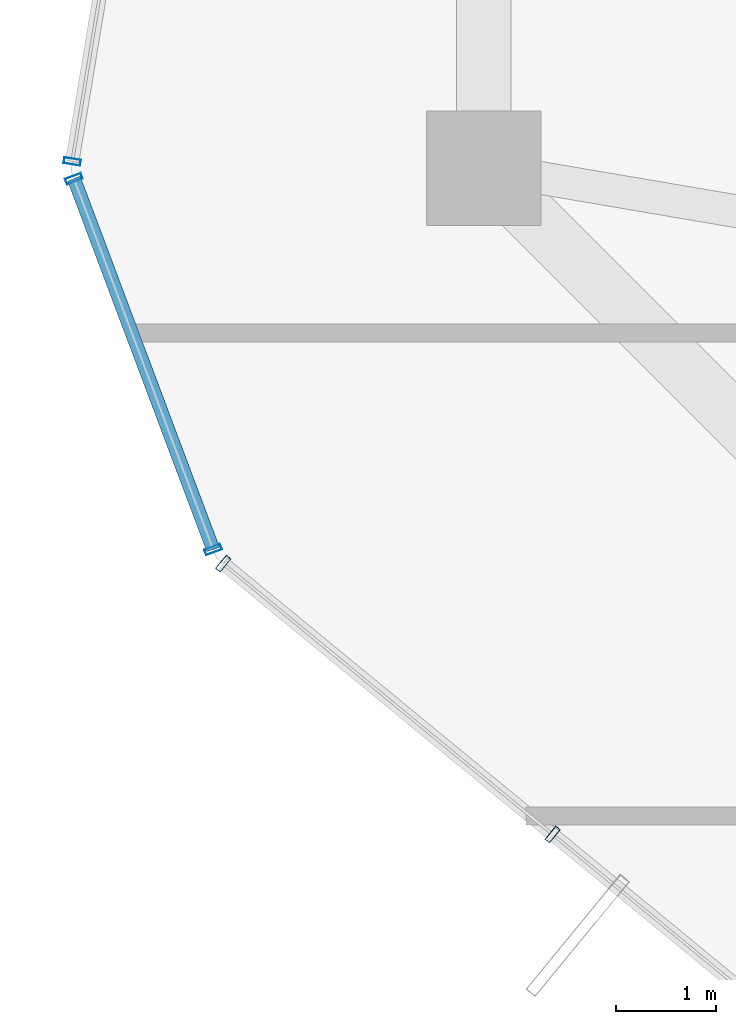
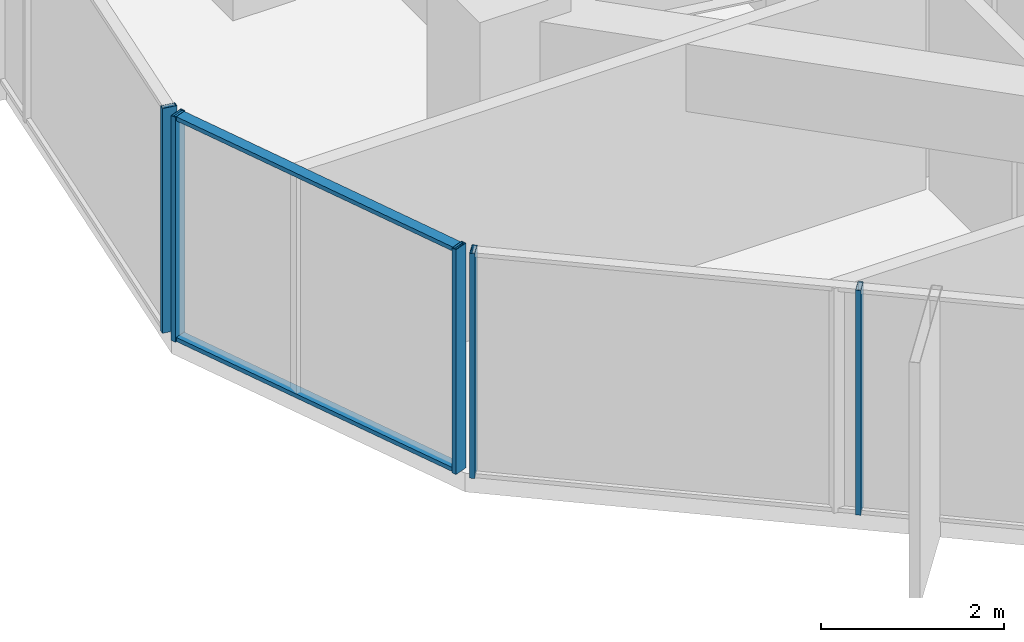
# One storey, part 4 of 30: 7 members, 3 elements without a shape of their own.
"""IFC4 building model written with IfcOpenShell, lengths in metres."""

from ifc_helpers import new_model, si_unit, direction, frame, origin, origin_2d, place, context, subcontext, project, spatial, hollow_rectangle, extrude, source, transform, mapped, material, layer, layer_set, material_profile, profile_set, type_object, element, aggregate, save


model = new_model("IFC4")

# Units and contexts
model_context = context("Model", 3, precision=1e-05, world=origin(), true_north=direction((0.0, 1.0)))
body_context = subcontext(model_context, "Body", "Model", "MODEL_VIEW")
ifc_project = project(units=[si_unit("LENGTHUNIT", "METRE"), si_unit("AREAUNIT", "SQUARE_METRE"), si_unit("VOLUMEUNIT", "CUBIC_METRE"), si_unit("PLANEANGLEUNIT", "RADIAN"), si_unit("MASSUNIT", "GRAM", prefix="KILO")], contexts=[model_context])

# Site, building, storey
site_placement = place(None, origin())
site = spatial("IfcSite", under=ifc_project, at=site_placement, CompositionType="ELEMENT")
building_placement = place(site_placement, origin())
building = spatial("IfcBuilding", under=site, at=building_placement, Name="Veraguas Prism Commons", CompositionType="ELEMENT")
storey_placement = place(building_placement, frame((0.0, 0.0, 95.949951171875)))
storey = spatial("IfcBuildingStorey", under=building, at=storey_placement, Name="L26", CompositionType="ELEMENT", Elevation=95.949951171875)

# Curtain wall, member
ifc_material = material(Name="Anodised aluminium EN AW-6063 T6", Category="aluminium")
ifc_layer = layer(ifc_material, 0.169921875, Name="Unitised Flush Curtain Wall Zone 2", Category="aluminium")
ifc_layer_set = layer_set([ifc_layer], Name="Anodised aluminium EN AW-6063 T6")
curtain_wall_type = type_object("IfcCurtainWallType", Name="Unitised Flush Curtain Wall Zone 2", PredefinedType="NOTDEFINED", material=ifc_layer_set)
curtain_wall_1_placement = place(storey_placement, origin())
curtain_wall_1 = element("IfcCurtainWall", 1, at=curtain_wall_1_placement, inside=storey, type_object=curtain_wall_type, Name="Tower Facade Curtain Wall L26-F3", PredefinedType="NOTDEFINED")
ifc_material_profile_1 = material_profile(ifc_material, hollow_rectangle(XDim=0.06005859375, YDim=0.169921875, WallThickness=0.00390625, at=origin_2d()), Name="AL60X170X4")
ifc_profile_set_1 = profile_set([ifc_material_profile_1], Name="Anodised aluminium EN AW-6063 T6")
member_type_1 = type_object("IfcMemberType", Name="Curtain Wall Mullion Lower AL 60x170x4", PredefinedType="MULLION", material=ifc_profile_set_1)
shared_shape_1 = source(origin(), body_context, "Body", "SweptSolid", [
    extrude(hollow_rectangle(XDim=0.06005859375, YDim=0.169921875, WallThickness=0.00390625, at=origin_2d()), origin(), (0.0, 0.0, 1.0), 3.0),
])
member_1_placement = place(storey_placement, frame((3.670654296875, 18.668212890625, 0.0), z_axis=(0.0, 0.0, 1.0), x_axis=(-0.163672052728, -0.986514804327, 0.0)))
member_1 = element("IfcMember", 2, at=member_1_placement, type_object=member_type_1, Name="CW-Z2 Mullion 5", PredefinedType="MULLION", context=body_context, shape_type="MappedRepresentation", body=[
    mapped(shared_shape_1, transform((0.0, 0.0, 0.0), scale=1.0)),
])
aggregate(curtain_wall_1, [member_1])

# Curtain wall, members
curtain_wall_2_placement = place(storey_placement, origin())
curtain_wall_2 = element("IfcCurtainWall", 3, at=curtain_wall_2_placement, inside=storey, type_object=curtain_wall_type, Name="Tower Facade Curtain Wall L26-F4", PredefinedType="NOTDEFINED")
member_2_placement = place(storey_placement, frame((5.185546875, 14.634033203125, 0.0), z_axis=(0.0, 0.0, 1.0), x_axis=(0.772511963678, -0.635000209429, 0.0)))
member_2 = element("IfcMember", 4, at=member_2_placement, type_object=member_type_1, Name="CW-Z2 Mullion 1", PredefinedType="MULLION", context=body_context, shape_type="MappedRepresentation", body=[
    mapped(shared_shape_1, transform((0.0, 0.0, 0.0), scale=1.0)),
])
member_3_placement = place(storey_placement, frame((8.49072265625, 11.917236328125, 0.0), z_axis=(0.0, 0.0, 1.0), x_axis=(0.772511963678, -0.635000209429, 0.0)))
member_3 = element("IfcMember", 5, at=member_3_placement, type_object=member_type_1, Name="CW-Z2 Mullion 2", PredefinedType="MULLION", context=body_context, shape_type="MappedRepresentation", body=[
    mapped(shared_shape_1, transform((0.0, 0.0, 0.0), scale=1.0)),
])
aggregate(curtain_wall_2, [member_2, member_3])

curtain_wall_3_placement = place(storey_placement, origin())
curtain_wall_3 = element("IfcCurtainWall", 6, at=curtain_wall_3_placement, inside=storey, type_object=curtain_wall_type, Name="Chamfer Curtain Wall L26-C4", PredefinedType="NOTDEFINED")
member_4_placement = place(storey_placement, frame((3.687744140625, 18.4951171875, 0.0), z_axis=(0.0, 0.0, 1.0), x_axis=(0.351518148449, -0.936181067589, 0.0)))
member_4 = element("IfcMember", 7, at=member_4_placement, type_object=member_type_1, Name="CW-Z2 Mullion 1", PredefinedType="MULLION", context=body_context, shape_type="MappedRepresentation", body=[
    mapped(shared_shape_1, transform((0.0, 0.0, 0.0), scale=1.0)),
])
member_5_placement = place(storey_placement, frame((5.084228515625, 14.775634765625, 0.0), z_axis=(0.0, 0.0, 1.0), x_axis=(0.351518148449, -0.936181067589, 0.0)))
member_5 = element("IfcMember", 8, at=member_5_placement, type_object=member_type_1, Name="CW-Z2 Mullion 2", PredefinedType="MULLION", context=body_context, shape_type="MappedRepresentation", body=[
    mapped(shared_shape_1, transform((0.0, 0.0, 0.0), scale=1.0)),
])
ifc_material_profile_2 = material_profile(ifc_material, hollow_rectangle(XDim=0.054931640625, YDim=0.135009765625, WallThickness=0.0029296875, at=origin_2d()), Name="AL55X135X3")
ifc_profile_set_2 = profile_set([ifc_material_profile_2], Name="Anodised aluminium EN AW-6063 T6")
member_type_2 = type_object("IfcMemberType", Name="Curtain Wall Transom Standard AL 55x135x3", PredefinedType="USERDEFINED", material=ifc_profile_set_2)
shared_shape_2 = source(origin(), body_context, "Body", "SweptSolid", [
    extrude(hollow_rectangle(XDim=0.054931640625, YDim=0.135009765625, WallThickness=0.0029296875, at=origin_2d()), origin(), (0.0, 0.0, 1.0), 3.972900390625),
])
member_6_placement = place(storey_placement, frame((3.687744140625, 18.4951171875, 0.027587890625), z_axis=(0.351493797466, -0.936190210557, 0.0), x_axis=(0.0, 0.0, 1.0)))
member_6 = element("IfcMember", 9, at=member_6_placement, type_object=member_type_2, Name="CW-Z2 Transom 1", ObjectType="TRANSOM", PredefinedType="USERDEFINED", context=body_context, shape_type="MappedRepresentation", body=[
    mapped(shared_shape_2, transform((0.0, 0.0, 0.0), scale=1.0)),
])
member_7_placement = place(storey_placement, frame((3.687744140625, 18.4951171875, 2.97265625), z_axis=(0.351493797466, -0.936190210557, 0.0), x_axis=(0.0, 0.0, 1.0)))
member_7 = element("IfcMember", 10, at=member_7_placement, type_object=member_type_2, Name="CW-Z2 Transom 2", ObjectType="TRANSOM", PredefinedType="USERDEFINED", context=body_context, shape_type="MappedRepresentation", body=[
    mapped(shared_shape_2, transform((0.0, 0.0, 0.0), scale=1.0)),
])
aggregate(curtain_wall_3, [member_4, member_5, member_6, member_7])

save(model, "model.ifc")
